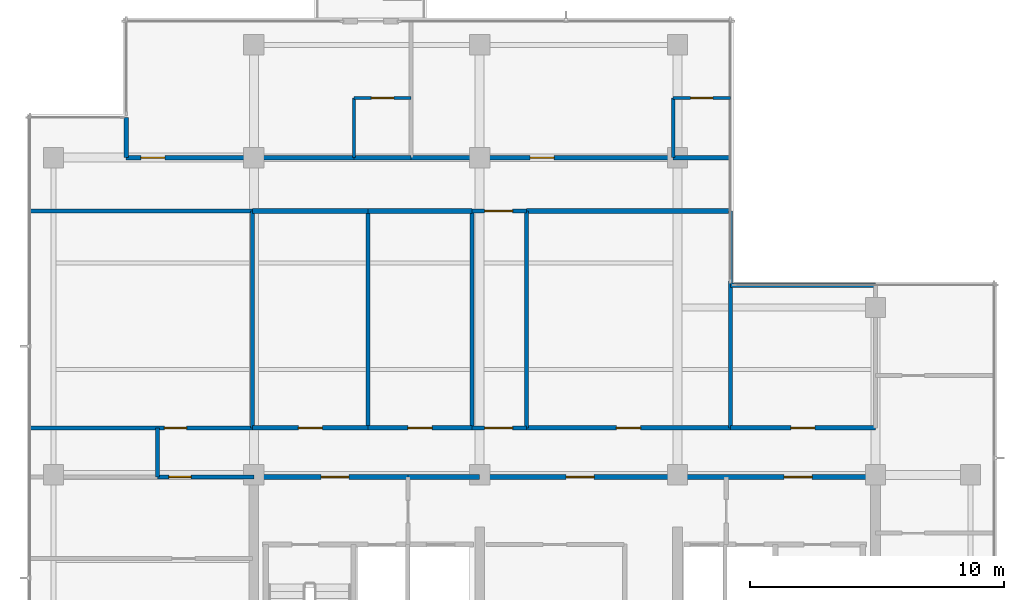
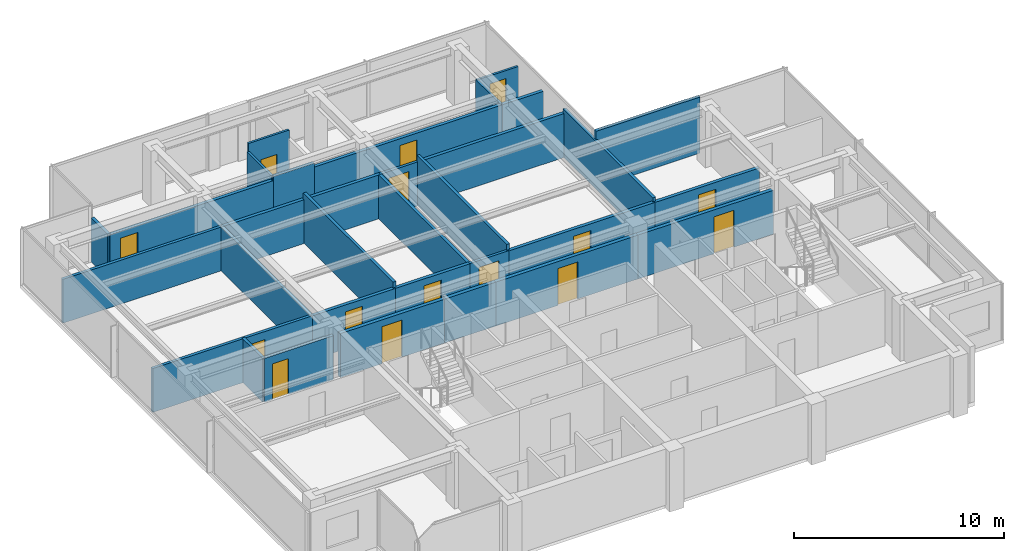
# One storey, part 7 of 11: 32 walls, 15 doors, 15 openings.
"""IFC4 building model written with IfcOpenShell, lengths in metres."""

from ifc_helpers import new_model, si_unit, direction, frame, frame_2d, origin, place, context, subcontext, project, spatial, rectangle, extrude, material, layer, layer_set, type_object, element, fill, save


model = new_model("IFC4")

# Units and contexts
model_context = context("Model", 3, precision=1e-05, world=origin(), true_north=direction((0.0, 1.0)))
body_context = subcontext(model_context, "Body", "Model", "MODEL_VIEW")
ifc_project = project(units=[si_unit("LENGTHUNIT", "METRE"), si_unit("AREAUNIT", "SQUARE_METRE"), si_unit("VOLUMEUNIT", "CUBIC_METRE"), si_unit("PLANEANGLEUNIT", "RADIAN"), si_unit("MASSUNIT", "GRAM", prefix="KILO")], contexts=[model_context])

# Site, building, storey
site_placement = place(None, origin())
site = spatial("IfcSite", under=ifc_project, at=site_placement, CompositionType="ELEMENT")
building_placement = place(site_placement, origin())
building = spatial("IfcBuilding", under=site, at=building_placement, Name="Qalmaran Belvedere Hotel", CompositionType="ELEMENT")
storey_placement = place(building_placement, frame((0.0, 0.0, 273.89990234375)))
storey = spatial("IfcBuildingStorey", under=building, at=storey_placement, Name="L71", CompositionType="ELEMENT", Elevation=273.89990234375)

# Wall, opening, door
ifc_material_1 = material(Name="Moisture-Resistant Gypsum")
ifc_layer_1 = layer(ifc_material_1, 0.1201171875, Name="Moisture-Resistant Gypsum")
ifc_layer_set_1 = layer_set([ifc_layer_1], Name="Moisture-Resistant Gypsum")
wall_type_1 = type_object("IfcWallType", Name="WL-INT-120-BATH", PredefinedType="PARTITIONING", material=ifc_layer_set_1)
wall_1_placement = place(storey_placement, frame((24.25, 35.35009765625, 0.0), z_axis=(0.0, 0.0, 1.0), x_axis=(1.0, 0.0, 0.0)))
wall_1 = element("IfcWall", 1, at=wall_1_placement, inside=storey, type_object=wall_type_1, Name="L71 Partition WL-L71-NBN00", PredefinedType="PARTITIONING", context=body_context, shape_type="SweptSolid", body=[
    extrude(rectangle(XDim=2.25, YDim=0.1201171875, at=frame_2d((1.125, 0.0))), origin(), (0.0, 0.0, 1.0), 3.260009765625),
])
opening_1_placement = place(wall_1_placement, frame((1.56494140625, 0.0, 0.0), z_axis=(0.0, 0.0, 1.0), x_axis=(-1.0, 0.0, 0.0)))
opening_1 = element("IfcOpeningElement", 2, at=opening_1_placement, cuts=wall_1, Name="Opening D-BATH", PredefinedType="OPENING", context=body_context, shape_type="SweptSolid", body=[
    extrude(rectangle(XDim=0.8798828125, YDim=2.080078125, at=frame_2d((0.43994140625, 1.0400390625))), frame((0.0, 0.070068359375, 0.0), z_axis=(0.0, -1.0, 0.0), x_axis=(1.0, 0.0, 0.0)), (0.0, 0.0, 1.0), 0.14013671875),
])
ifc_material_2 = material(Name="Engineered Oak Veneer")
door_type_1 = type_object("IfcDoorType", Name="DR-INT-BATH-880X2080", OperationType="NOTDEFINED", PredefinedType="DOOR", material=ifc_material_2)
door_1_placement = place(opening_1_placement, origin())
door_1 = element("IfcDoor", 3, at=door_1_placement, inside=storey, type_object=door_type_1, Name="L71 Ensuite Bathroom Door N01", OperationType="SINGLE_SWING_LEFT", OverallHeight=2.080078125, OverallWidth=0.8798828125, PredefinedType="DOOR", context=body_context, shape_type="SweptSolid", body=[
    extrude(rectangle(XDim=0.8798828125, YDim=2.080078125, at=frame_2d((0.43994140625, 1.0400390625))), frame((0.0, 0.02490234375, 0.0), z_axis=(0.0, -1.0, 0.0), x_axis=(1.0, 0.0, 0.0)), (0.0, 0.0, 1.0), 0.050048828125),
])
fill(opening_1, door_1)

# Wall
wall_2_placement = place(storey_placement, frame((24.25, 33.0, 0.0), z_axis=(0.0, 0.0, 1.0), x_axis=(0.0, 1.0, 0.0)))
element("IfcWall", 4, at=wall_2_placement, inside=storey, type_object=wall_type_1, Name="L71 Partition WL-L71-NBS00", PredefinedType="PARTITIONING", context=body_context, shape_type="SweptSolid", body=[
    extrude(rectangle(XDim=2.35009765625, YDim=0.1201171875, at=frame_2d((1.175048828125, 0.0))), origin(), (0.0, 0.0, 1.0), 2.781982421875),
])

# Wall, opening, door
wall_3_placement = place(storey_placement, frame((36.830078125, 35.35009765625, 0.0), z_axis=(0.0, 0.0, 1.0), x_axis=(1.0, 0.0, 0.0)))
wall_3 = element("IfcWall", 5, at=wall_3_placement, inside=storey, type_object=wall_type_1, Name="L71 Partition WL-L71-NBN01", PredefinedType="PARTITIONING", context=body_context, shape_type="SweptSolid", body=[
    extrude(rectangle(XDim=2.25, YDim=0.1201171875, at=frame_2d((1.125, 0.0))), origin(), (0.0, 0.0, 1.0), 2.550048828125),
])
opening_2_placement = place(wall_3_placement, frame((1.56494140625, 0.0, 0.0), z_axis=(0.0, 0.0, 1.0), x_axis=(-1.0, 0.0, 0.0)))
opening_2 = element("IfcOpeningElement", 6, at=opening_2_placement, cuts=wall_3, Name="Opening D-BATH", PredefinedType="OPENING", context=body_context, shape_type="SweptSolid", body=[
    extrude(rectangle(XDim=0.8798828125, YDim=2.080078125, at=frame_2d((0.43994140625, 1.0400390625))), frame((0.0, 0.070068359375, 0.0), z_axis=(0.0, -1.0, 0.0), x_axis=(1.0, 0.0, 0.0)), (0.0, 0.0, 1.0), 0.14013671875),
])
door_2_placement = place(opening_2_placement, origin())
door_2 = element("IfcDoor", 7, at=door_2_placement, inside=storey, type_object=door_type_1, Name="L71 Ensuite Bathroom Door N02", OperationType="SINGLE_SWING_LEFT", OverallHeight=2.080078125, OverallWidth=0.8798828125, PredefinedType="DOOR", context=body_context, shape_type="SweptSolid", body=[
    extrude(rectangle(XDim=0.8798828125, YDim=2.080078125, at=frame_2d((0.43994140625, 1.0400390625))), frame((0.0, 0.02490234375, 0.0), z_axis=(0.0, -1.0, 0.0), x_axis=(1.0, 0.0, 0.0)), (0.0, 0.0, 1.0), 0.050048828125),
])
fill(opening_2, door_2)

# Wall
wall_4_placement = place(storey_placement, frame((36.830078125, 33.0, 0.0), z_axis=(0.0, 0.0, 1.0), x_axis=(0.0, 1.0, 0.0)))
element("IfcWall", 8, at=wall_4_placement, inside=storey, type_object=wall_type_1, Name="L71 Partition WL-L71-NBS01", PredefinedType="PARTITIONING", context=body_context, shape_type="SweptSolid", body=[
    extrude(rectangle(XDim=2.35009765625, YDim=0.1201171875, at=frame_2d((1.175048828125, 0.0))), origin(), (0.0, 0.0, 1.0), 2.550048828125),
])

# Wall, opening, door
ifc_material_3 = material(Name="Gypsum Stud Partition")
ifc_layer_2 = layer(ifc_material_3, 0.14990234375, Name="Gypsum Stud Partition")
ifc_layer_set_2 = layer_set([ifc_layer_2], Name="Gypsum Stud Partition")
wall_type_2 = type_object("IfcWallType", Name="WL-INT-150-EI60", PredefinedType="PARTITIONING", material=ifc_layer_set_2)
wall_5_placement = place(storey_placement, frame((28.89990234375, 22.35009765625, 0.0), z_axis=(0.0, 0.0, 1.0), x_axis=(1.0, 0.0, 0.0)))
wall_5 = element("IfcWall", 9, at=wall_5_placement, inside=storey, type_object=wall_type_2, Name="L71 Partition WL-L71-XCLS", PredefinedType="PARTITIONING", context=body_context, shape_type="SweptSolid", body=[
    extrude(rectangle(XDim=2.150146484375, YDim=0.14990234375, at=frame_2d((1.0751953125, 0.0))), origin(), (0.0, 0.0, 1.0), 2.550048828125),
])
opening_3_placement = place(wall_5_placement, frame((0.5, 0.0, 0.0)))
opening_3 = element("IfcOpeningElement", 10, at=opening_3_placement, cuts=wall_5, Name="Opening FD90", PredefinedType="OPENING", context=body_context, shape_type="SweptSolid", body=[
    extrude(rectangle(XDim=1.10009765625, YDim=2.14990234375, at=frame_2d((0.550048828125, 1.074951171875))), frame((0.0, 0.0849609375, 0.0), z_axis=(0.0, -1.0, 0.0), x_axis=(1.0, 0.0, 0.0)), (0.0, 0.0, 1.0), 0.169921875),
])
ifc_material_4 = material(Name="Steel S355JR", Category="steel")
door_type_2 = type_object("IfcDoorType", Name="DR-FD90-1100X2150", OperationType="NOTDEFINED", PredefinedType="DOOR", material=ifc_material_4)
door_3_placement = place(opening_3_placement, origin())
door_3 = element("IfcDoor", 11, at=door_3_placement, inside=storey, type_object=door_type_2, Name="L71 Sky Link South Door", OperationType="SINGLE_SWING_RIGHT", OverallHeight=2.14990234375, OverallWidth=1.10009765625, PredefinedType="DOOR", context=body_context, shape_type="SweptSolid", body=[
    extrude(rectangle(XDim=1.10009765625, YDim=2.14990234375, at=frame_2d((0.550048828125, 1.074951171875))), frame((0.0, 0.02490234375, 0.0), z_axis=(0.0, -1.0, 0.0), x_axis=(1.0, 0.0, 0.0)), (0.0, 0.0, 1.0), 0.050048828125),
])
fill(opening_3, door_3)

wall_6_placement = place(storey_placement, frame((28.89990234375, 30.89990234375, 0.0), z_axis=(0.0, 0.0, 1.0), x_axis=(1.0, 0.0, 0.0)))
wall_6 = element("IfcWall", 12, at=wall_6_placement, inside=storey, type_object=wall_type_2, Name="L71 Partition WL-L71-XCLN", PredefinedType="PARTITIONING", context=body_context, shape_type="SweptSolid", body=[
    extrude(rectangle(XDim=2.150146484375, YDim=0.14990234375, at=frame_2d((1.0751953125, 0.0))), origin(), (0.0, 0.0, 1.0), 2.550048828125),
])
opening_4_placement = place(wall_6_placement, frame((0.5, 0.0, 0.0)))
opening_4 = element("IfcOpeningElement", 13, at=opening_4_placement, cuts=wall_6, Name="Opening FD90", PredefinedType="OPENING", context=body_context, shape_type="SweptSolid", body=[
    extrude(rectangle(XDim=1.10009765625, YDim=2.14990234375, at=frame_2d((0.550048828125, 1.074951171875))), frame((0.0, 0.0849609375, 0.0), z_axis=(0.0, -1.0, 0.0), x_axis=(1.0, 0.0, 0.0)), (0.0, 0.0, 1.0), 0.169921875),
])
door_4_placement = place(opening_4_placement, origin())
door_4 = element("IfcDoor", 14, at=door_4_placement, inside=storey, type_object=door_type_2, Name="L71 Sky Link North Door", OperationType="SINGLE_SWING_LEFT", OverallHeight=2.14990234375, OverallWidth=1.10009765625, PredefinedType="DOOR", context=body_context, shape_type="SweptSolid", body=[
    extrude(rectangle(XDim=1.10009765625, YDim=2.14990234375, at=frame_2d((0.550048828125, 1.074951171875))), frame((0.0, 0.02490234375, 0.0), z_axis=(0.0, -1.0, 0.0), x_axis=(1.0, 0.0, 0.0)), (0.0, 0.0, 1.0), 0.050048828125),
])
fill(opening_4, door_4)

ifc_layer_3 = layer(ifc_material_3, 0.159912109375, Name="Gypsum Stud Partition")
ifc_layer_set_3 = layer_set([ifc_layer_3], Name="Gypsum Stud Partition")
wall_type_3 = type_object("IfcWallType", Name="WL-INT-160-EI60", PredefinedType="PARTITIONING", material=ifc_layer_set_3)
wall_7_placement = place(storey_placement, frame((16.5, 20.419921875, 0.0), z_axis=(0.0, 0.0, 1.0), x_axis=(1.0, 0.0, 0.0)))
wall_7 = element("IfcWall", 15, at=wall_7_placement, inside=storey, type_object=wall_type_3, Name="L71 Partition WL-L71-C4WS2", PredefinedType="PARTITIONING", context=body_context, shape_type="SweptSolid", body=[
    extrude(rectangle(XDim=3.800048828125, YDim=0.159912109375, at=frame_2d((1.89990234375, 0.0))), origin(), (0.0, 0.0, 1.0), 2.550048828125),
])
opening_5_placement = place(wall_7_placement, frame((1.329833984375, 0.0, 0.0), z_axis=(0.0, 0.0, 1.0), x_axis=(-1.0, 0.0, 0.0)))
opening_5 = element("IfcOpeningElement", 16, at=opening_5_placement, cuts=wall_7, Name="Opening FD60B", PredefinedType="OPENING", context=body_context, shape_type="SweptSolid", body=[
    extrude(rectangle(XDim=0.8798828125, YDim=2.080078125, at=frame_2d((0.43994140625, 1.0400390625))), frame((0.0, 0.08984375, 0.0), z_axis=(0.0, -1.0, 0.0), x_axis=(1.0, 0.0, 0.0)), (0.0, 0.0, 1.0), 0.179931640625),
])
door_type_3 = type_object("IfcDoorType", Name="DR-FD60B-880X2080", OperationType="NOTDEFINED", PredefinedType="DOOR", material=ifc_material_4)
door_5_placement = place(opening_5_placement, origin())
door_5 = element("IfcDoor", 17, at=door_5_placement, inside=storey, type_object=door_type_3, Name="L71 West Salon Door", OperationType="SINGLE_SWING_LEFT", OverallHeight=2.080078125, OverallWidth=0.8798828125, PredefinedType="DOOR", context=body_context, shape_type="SweptSolid", body=[
    extrude(rectangle(XDim=0.8798828125, YDim=2.080078125, at=frame_2d((0.43994140625, 1.0400390625))), frame((0.0, 0.02490234375, 0.0), z_axis=(0.0, -1.0, 0.0), x_axis=(1.0, 0.0, 0.0)), (0.0, 0.0, 1.0), 0.050048828125),
])
fill(opening_5, door_5)

# Wall
wall_8_placement = place(storey_placement, frame((16.5, 20.419921875, 0.0), z_axis=(0.0, 0.0, 1.0), x_axis=(0.0, 1.0, 0.0)))
element("IfcWall", 18, at=wall_8_placement, inside=storey, type_object=wall_type_3, Name="L71 Partition WL-L71-C4WW", PredefinedType="PARTITIONING", context=body_context, shape_type="SweptSolid", body=[
    extrude(rectangle(XDim=1.93017578125, YDim=0.159912109375, at=frame_2d((0.965087890625, 0.0))), origin(), (0.0, 0.0, 1.0), 2.550048828125),
])

# Wall, opening, door
wall_9_placement = place(storey_placement, frame((11.469970703125, 22.35009765625, 0.0), z_axis=(0.0, 0.0, 1.0), x_axis=(1.0, 0.0, 0.0)))
wall_9 = element("IfcWall", 19, at=wall_9_placement, inside=storey, type_object=wall_type_3, Name="L71 Partition WL-L71-C4WN0", PredefinedType="PARTITIONING", context=body_context, shape_type="SweptSolid", body=[
    extrude(rectangle(XDim=8.780029296875, YDim=0.159912109375, at=frame_2d((4.39013671875, 0.0))), origin(), (0.0, 0.0, 1.0), 2.550048828125),
])
opening_6_placement = place(wall_9_placement, frame((5.300048828125, 0.0, 0.0)))
opening_6 = element("IfcOpeningElement", 20, at=opening_6_placement, cuts=wall_9, Name="Opening FD60B", PredefinedType="OPENING", context=body_context, shape_type="SweptSolid", body=[
    extrude(rectangle(XDim=0.8798828125, YDim=2.080078125, at=frame_2d((0.43994140625, 1.0400390625))), frame((0.0, 0.08984375, 0.0), z_axis=(0.0, -1.0, 0.0), x_axis=(1.0, 0.0, 0.0)), (0.0, 0.0, 1.0), 0.179931640625),
])
door_6_placement = place(opening_6_placement, origin())
door_6 = element("IfcDoor", 21, at=door_6_placement, inside=storey, type_object=door_type_3, Name="L71 NW Salon Door", OperationType="SINGLE_SWING_RIGHT", OverallHeight=2.080078125, OverallWidth=0.8798828125, PredefinedType="DOOR", context=body_context, shape_type="SweptSolid", body=[
    extrude(rectangle(XDim=0.8798828125, YDim=2.080078125, at=frame_2d((0.43994140625, 1.0400390625))), frame((0.0, 0.02490234375, 0.0), z_axis=(0.0, -1.0, 0.0), x_axis=(1.0, 0.0, 0.0)), (0.0, 0.0, 1.0), 0.050048828125),
])
fill(opening_6, door_6)

# Walls
wall_10_placement = place(storey_placement, frame((11.469970703125, 30.89990234375, 0.0), z_axis=(0.0, 0.0, 1.0), x_axis=(1.0, 0.0, 0.0)))
element("IfcWall", 22, at=wall_10_placement, inside=storey, type_object=wall_type_3, Name="L71 Partition WL-L71-C4WN1", PredefinedType="PARTITIONING", context=body_context, shape_type="SweptSolid", body=[
    extrude(rectangle(XDim=8.780029296875, YDim=0.159912109375, at=frame_2d((4.39013671875, 0.0))), origin(), (0.0, 0.0, 1.0), 2.550048828125),
])
wall_11_placement = place(storey_placement, frame((20.25, 22.35009765625, 0.0), z_axis=(0.0, 0.0, 1.0), x_axis=(0.0, 1.0, 0.0)))
element("IfcWall", 23, at=wall_11_placement, inside=storey, type_object=wall_type_3, Name="L71 Partition WL-L71-C4MWVL", PredefinedType="PARTITIONING", context=body_context, shape_type="SweptSolid", body=[
    extrude(rectangle(XDim=8.5498046875, YDim=0.159912109375, at=frame_2d((4.27490234375, 0.0))), origin(), (0.0, 0.0, 1.0), 2.550048828125),
])
wall_12_placement = place(storey_placement, frame((24.800048828125, 22.35009765625, 0.0), z_axis=(0.0, 0.0, 1.0), x_axis=(0.0, 1.0, 0.0)))
element("IfcWall", 24, at=wall_12_placement, inside=storey, type_object=wall_type_3, Name="L71 Partition WL-L71-C4MWVR1", PredefinedType="PARTITIONING", context=body_context, shape_type="SweptSolid", body=[
    extrude(rectangle(XDim=8.5498046875, YDim=0.159912109375, at=frame_2d((4.27490234375, 0.0))), origin(), (0.0, 0.0, 1.0), 2.88720703125),
])
wall_13_placement = place(storey_placement, frame((28.89990234375, 22.35009765625, 0.0), z_axis=(0.0, 0.0, 1.0), x_axis=(0.0, 1.0, 0.0)))
element("IfcWall", 25, at=wall_13_placement, inside=storey, type_object=wall_type_3, Name="L71 Partition WL-L71-C4MWVR2", PredefinedType="PARTITIONING", context=body_context, shape_type="SweptSolid", body=[
    extrude(rectangle(XDim=8.5498046875, YDim=0.159912109375, at=frame_2d((4.27490234375, 0.0))), origin(), (0.0, 0.0, 1.0), 2.550048828125),
])
wall_14_placement = place(storey_placement, frame((31.050048828125, 22.35009765625, 0.0), z_axis=(0.0, 0.0, 1.0), x_axis=(0.0, 1.0, 0.0)))
element("IfcWall", 26, at=wall_14_placement, inside=storey, type_object=wall_type_3, Name="L71 Partition WL-L71-C4MEVL", PredefinedType="PARTITIONING", context=body_context, shape_type="SweptSolid", body=[
    extrude(rectangle(XDim=8.5498046875, YDim=0.159912109375, at=frame_2d((4.27490234375, 0.0))), origin(), (0.0, 0.0, 1.0), 2.88720703125),
])
wall_15_placement = place(storey_placement, frame((39.080078125, 22.35009765625, 0.0), z_axis=(0.0, 0.0, 1.0), x_axis=(0.0, 1.0, 0.0)))
element("IfcWall", 27, at=wall_15_placement, inside=storey, type_object=wall_type_3, Name="L71 Partition WL-L71-C4MEVR1", PredefinedType="PARTITIONING", context=body_context, shape_type="SweptSolid", body=[
    extrude(rectangle(XDim=8.5498046875, YDim=0.159912109375, at=frame_2d((4.27490234375, 0.0))), origin(), (0.0, 0.0, 1.0), 2.781982421875),
])
wall_16_placement = place(storey_placement, frame((15.27001953125, 33.0, 0.0), z_axis=(0.0, 0.0, 1.0), x_axis=(0.0, 1.0, 0.0)))
element("IfcWall", 28, at=wall_16_placement, inside=storey, type_object=wall_type_3, Name="L71 Partition WL-L71-NUL", PredefinedType="PARTITIONING", context=body_context, shape_type="SweptSolid", body=[
    extrude(rectangle(XDim=1.580078125, YDim=0.159912109375, at=frame_2d((0.7900390625, 0.0))), origin(), (0.0, 0.0, 1.0), 2.550048828125),
])

# Wall, opening, door
ifc_layer_4 = layer(ifc_material_3, 0.179931640625, Name="Gypsum Stud Partition")
ifc_layer_set_4 = layer_set([ifc_layer_4], Name="Gypsum Stud Partition")
wall_type_4 = type_object("IfcWallType", Name="WL-INT-180-EI60", PredefinedType="PARTITIONING", material=ifc_layer_set_4)
wall_17_placement = place(storey_placement, frame((20.25, 22.35009765625, 0.0), z_axis=(0.0, 0.0, 1.0), x_axis=(1.0, 0.0, 0.0)))
wall_17 = element("IfcWall", 29, at=wall_17_placement, inside=storey, type_object=wall_type_4, Name="L71 Partition WL-L71-C4MWD1", PredefinedType="PARTITIONING", context=body_context, shape_type="SweptSolid", body=[
    extrude(rectangle(XDim=4.550048828125, YDim=0.179931640625, at=frame_2d((2.27490234375, 0.0))), origin(), (0.0, 0.0, 1.0), 2.550048828125),
])
opening_7_placement = place(wall_17_placement, frame((1.800048828125, 0.0, 0.0)))
opening_7 = element("IfcOpeningElement", 30, at=opening_7_placement, cuts=wall_17, Name="Opening FD60", PredefinedType="OPENING", context=body_context, shape_type="SweptSolid", body=[
    extrude(rectangle(XDim=0.949951171875, YDim=2.14990234375, at=frame_2d((0.47509765625, 1.074951171875))), frame((0.0, 0.10009765625, 0.0), z_axis=(0.0, -1.0, 0.0), x_axis=(1.0, 0.0, 0.0)), (0.0, 0.0, 1.0), 0.199951171875),
])
door_type_4 = type_object("IfcDoorType", Name="DR-FD60-950X2150", OperationType="NOTDEFINED", PredefinedType="DOOR", material=ifc_material_2)
door_7_placement = place(opening_7_placement, origin())
door_7 = element("IfcDoor", 31, at=door_7_placement, inside=storey, type_object=door_type_4, Name="L71 Housekeeping and Linen Room Door", OperationType="SINGLE_SWING_LEFT", OverallHeight=2.14990234375, OverallWidth=0.949951171875, PredefinedType="DOOR", context=body_context, shape_type="SweptSolid", body=[
    extrude(rectangle(XDim=0.949951171875, YDim=2.14990234375, at=frame_2d((0.47509765625, 1.074951171875))), frame((0.0, 0.02490234375, 0.0), z_axis=(0.0, -1.0, 0.0), x_axis=(1.0, 0.0, 0.0)), (0.0, 0.0, 1.0), 0.050048828125),
])
fill(opening_7, door_7)

# Wall
wall_18_placement = place(storey_placement, frame((20.25, 30.89990234375, 0.0), z_axis=(0.0, 0.0, 1.0), x_axis=(1.0, 0.0, 0.0)))
element("IfcWall", 32, at=wall_18_placement, inside=storey, type_object=wall_type_4, Name="L71 Partition WL-L71-C4MWO1", PredefinedType="PARTITIONING", context=body_context, shape_type="SweptSolid", body=[
    extrude(rectangle(XDim=4.550048828125, YDim=0.179931640625, at=frame_2d((2.27490234375, 0.0))), origin(), (0.0, 0.0, 1.0), 2.550048828125),
])

# Wall, opening, door
wall_19_placement = place(storey_placement, frame((24.800048828125, 22.35009765625, 0.0), z_axis=(0.0, 0.0, 1.0), x_axis=(1.0, 0.0, 0.0)))
wall_19 = element("IfcWall", 33, at=wall_19_placement, inside=storey, type_object=wall_type_4, Name="L71 Partition WL-L71-C4MWD2", PredefinedType="PARTITIONING", context=body_context, shape_type="SweptSolid", body=[
    extrude(rectangle(XDim=4.099853515625, YDim=0.179931640625, at=frame_2d((2.0498046875, 0.0))), origin(), (0.0, 0.0, 1.0), 2.550048828125),
])
opening_8_placement = place(wall_19_placement, frame((1.574951171875, 0.0, 0.0)))
opening_8 = element("IfcOpeningElement", 34, at=opening_8_placement, cuts=wall_19, Name="Opening FD60", PredefinedType="OPENING", context=body_context, shape_type="SweptSolid", body=[
    extrude(rectangle(XDim=0.949951171875, YDim=2.14990234375, at=frame_2d((0.47509765625, 1.074951171875))), frame((0.0, 0.10009765625, 0.0), z_axis=(0.0, -1.0, 0.0), x_axis=(1.0, 0.0, 0.0)), (0.0, 0.0, 1.0), 0.199951171875),
])
door_8_placement = place(opening_8_placement, origin())
door_8 = element("IfcDoor", 35, at=door_8_placement, inside=storey, type_object=door_type_4, Name="L71 Belvedere Club Lounge Door", OperationType="SINGLE_SWING_RIGHT", OverallHeight=2.14990234375, OverallWidth=0.949951171875, PredefinedType="DOOR", context=body_context, shape_type="SweptSolid", body=[
    extrude(rectangle(XDim=0.949951171875, YDim=2.14990234375, at=frame_2d((0.47509765625, 1.074951171875))), frame((0.0, 0.02490234375, 0.0), z_axis=(0.0, -1.0, 0.0), x_axis=(1.0, 0.0, 0.0)), (0.0, 0.0, 1.0), 0.050048828125),
])
fill(opening_8, door_8)

# Wall
wall_20_placement = place(storey_placement, frame((24.800048828125, 30.89990234375, 0.0), z_axis=(0.0, 0.0, 1.0), x_axis=(1.0, 0.0, 0.0)))
element("IfcWall", 36, at=wall_20_placement, inside=storey, type_object=wall_type_4, Name="L71 Partition WL-L71-C4MWO2", PredefinedType="PARTITIONING", context=body_context, shape_type="SweptSolid", body=[
    extrude(rectangle(XDim=4.099853515625, YDim=0.179931640625, at=frame_2d((2.0498046875, 0.0))), origin(), (0.0, 0.0, 1.0), 2.550048828125),
])

# Wall, opening, door
wall_21_placement = place(storey_placement, frame((31.050048828125, 22.35009765625, 0.0), z_axis=(0.0, 0.0, 1.0), x_axis=(1.0, 0.0, 0.0)))
wall_21 = element("IfcWall", 37, at=wall_21_placement, inside=storey, type_object=wall_type_4, Name="L71 Partition WL-L71-C4MED1", PredefinedType="PARTITIONING", context=body_context, shape_type="SweptSolid", body=[
    extrude(rectangle(XDim=8.030029296875, YDim=0.179931640625, at=frame_2d((4.01513671875, 0.0))), origin(), (0.0, 0.0, 1.0), 2.550048828125),
])
opening_9_placement = place(wall_21_placement, frame((3.5400390625, 0.0, 0.0)))
opening_9 = element("IfcOpeningElement", 38, at=opening_9_placement, cuts=wall_21, Name="Opening FD60", PredefinedType="OPENING", context=body_context, shape_type="SweptSolid", body=[
    extrude(rectangle(XDim=0.949951171875, YDim=2.14990234375, at=frame_2d((0.47509765625, 1.074951171875))), frame((0.0, 0.10009765625, 0.0), z_axis=(0.0, -1.0, 0.0), x_axis=(1.0, 0.0, 0.0)), (0.0, 0.0, 1.0), 0.199951171875),
])
door_9_placement = place(opening_9_placement, origin())
door_9 = element("IfcDoor", 39, at=door_9_placement, inside=storey, type_object=door_type_4, Name="L71 Panoramic Tea Lounge Door", OperationType="SINGLE_SWING_LEFT", OverallHeight=2.14990234375, OverallWidth=0.949951171875, PredefinedType="DOOR", context=body_context, shape_type="SweptSolid", body=[
    extrude(rectangle(XDim=0.949951171875, YDim=2.14990234375, at=frame_2d((0.47509765625, 1.074951171875))), frame((0.0, 0.02490234375, 0.0), z_axis=(0.0, -1.0, 0.0), x_axis=(1.0, 0.0, 0.0)), (0.0, 0.0, 1.0), 0.050048828125),
])
fill(opening_9, door_9)

# Wall
wall_22_placement = place(storey_placement, frame((31.050048828125, 30.89990234375, 0.0), z_axis=(0.0, 0.0, 1.0), x_axis=(1.0, 0.0, 0.0)))
element("IfcWall", 40, at=wall_22_placement, inside=storey, type_object=wall_type_4, Name="L71 Partition WL-L71-C4MEO1", PredefinedType="PARTITIONING", context=body_context, shape_type="SweptSolid", body=[
    extrude(rectangle(XDim=8.030029296875, YDim=0.179931640625, at=frame_2d((4.01513671875, 0.0))), origin(), (0.0, 0.0, 1.0), 2.550048828125),
])

# Wall, opening, door
wall_23_placement = place(storey_placement, frame((39.080078125, 22.35009765625, 0.0), z_axis=(0.0, 0.0, 1.0), x_axis=(1.0, 0.0, 0.0)))
wall_23 = element("IfcWall", 41, at=wall_23_placement, inside=storey, type_object=wall_type_4, Name="L71 Partition WL-L71-C4MFD1", PredefinedType="PARTITIONING", context=body_context, shape_type="SweptSolid", body=[
    extrude(rectangle(XDim=5.719970703125, YDim=0.179931640625, at=frame_2d((2.85986328125, 0.0))), origin(), (0.0, 0.0, 1.0), 2.550048828125),
])
opening_10_placement = place(wall_23_placement, frame((2.385009765625, 0.0, 0.0)))
opening_10 = element("IfcOpeningElement", 42, at=opening_10_placement, cuts=wall_23, Name="Opening FD60", PredefinedType="OPENING", context=body_context, shape_type="SweptSolid", body=[
    extrude(rectangle(XDim=0.949951171875, YDim=2.14990234375, at=frame_2d((0.47509765625, 1.074951171875))), frame((0.0, 0.10009765625, 0.0), z_axis=(0.0, -1.0, 0.0), x_axis=(1.0, 0.0, 0.0)), (0.0, 0.0, 1.0), 0.199951171875),
])
door_10_placement = place(opening_10_placement, origin())
door_10 = element("IfcDoor", 43, at=door_10_placement, inside=storey, type_object=door_type_4, Name="L71 Wellness Meditation Spa Door", OperationType="SINGLE_SWING_RIGHT", OverallHeight=2.14990234375, OverallWidth=0.949951171875, PredefinedType="DOOR", context=body_context, shape_type="SweptSolid", body=[
    extrude(rectangle(XDim=0.949951171875, YDim=2.14990234375, at=frame_2d((0.47509765625, 1.074951171875))), frame((0.0, 0.02490234375, 0.0), z_axis=(0.0, -1.0, 0.0), x_axis=(1.0, 0.0, 0.0)), (0.0, 0.0, 1.0), 0.050048828125),
])
fill(opening_10, door_10)

# Walls
wall_24_placement = place(storey_placement, frame((39.080078125, 27.97998046875, 0.0), z_axis=(0.0, 0.0, 1.0), x_axis=(1.0, 0.0, 0.0)))
element("IfcWall", 44, at=wall_24_placement, inside=storey, type_object=wall_type_4, Name="L71 Partition WL-L71-C4MFO1", PredefinedType="PARTITIONING", context=body_context, shape_type="SweptSolid", body=[
    extrude(rectangle(XDim=5.719970703125, YDim=0.179931640625, at=frame_2d((2.85986328125, 0.0))), origin(), (0.0, 0.0, 1.0), 3.260009765625),
])
wall_25_placement = place(storey_placement, frame((24.25, 33.0, 0.0), z_axis=(0.0, 0.0, 1.0), x_axis=(1.0, 0.0, 0.0)))
element("IfcWall", 45, at=wall_25_placement, inside=storey, type_object=wall_type_4, Name="L71 Partition WL-L71-NBC00", PredefinedType="PARTITIONING", context=body_context, shape_type="SweptSolid", body=[
    extrude(rectangle(XDim=2.25, YDim=0.179931640625, at=frame_2d((1.125, 0.0))), origin(), (0.0, 0.0, 1.0), 2.781982421875),
])

# Wall, opening, door
wall_26_placement = place(storey_placement, frame((15.27001953125, 33.0, 0.0), z_axis=(0.0, 0.0, 1.0), x_axis=(1.0, 0.0, 0.0)))
wall_26 = element("IfcWall", 46, at=wall_26_placement, inside=storey, type_object=wall_type_4, Name="L71 Partition WL-L71-NEC00", PredefinedType="PARTITIONING", context=body_context, shape_type="SweptSolid", body=[
    extrude(rectangle(XDim=8.97998046875, YDim=0.179931640625, at=frame_2d((4.489990234375, 0.0))), origin(), (0.0, 0.0, 1.0), 2.550048828125),
])
opening_11_placement = place(wall_26_placement, frame((0.57568359375, 0.0, 0.0)))
opening_11 = element("IfcOpeningElement", 47, at=opening_11_placement, cuts=wall_26, Name="Opening FD60", PredefinedType="OPENING", context=body_context, shape_type="SweptSolid", body=[
    extrude(rectangle(XDim=0.949951171875, YDim=2.14990234375, at=frame_2d((0.47509765625, 1.074951171875))), frame((0.0, 0.10009765625, 0.0), z_axis=(0.0, -1.0, 0.0), x_axis=(1.0, 0.0, 0.0)), (0.0, 0.0, 1.0), 0.199951171875),
])
door_11_placement = place(opening_11_placement, origin())
door_11 = element("IfcDoor", 48, at=door_11_placement, inside=storey, type_object=door_type_4, Name="L71 Guest Entrance Door N01", OperationType="SINGLE_SWING_RIGHT", OverallHeight=2.14990234375, OverallWidth=0.949951171875, PredefinedType="DOOR", context=body_context, shape_type="SweptSolid", body=[
    extrude(rectangle(XDim=0.949951171875, YDim=2.14990234375, at=frame_2d((0.47509765625, 1.074951171875))), frame((0.0, 0.02490234375, 0.0), z_axis=(0.0, -1.0, 0.0), x_axis=(1.0, 0.0, 0.0)), (0.0, 0.0, 1.0), 0.050048828125),
])
fill(opening_11, door_11)

# Wall
wall_27_placement = place(storey_placement, frame((36.830078125, 33.0, 0.0), z_axis=(0.0, 0.0, 1.0), x_axis=(1.0, 0.0, 0.0)))
element("IfcWall", 49, at=wall_27_placement, inside=storey, type_object=wall_type_4, Name="L71 Partition WL-L71-NBC01", PredefinedType="PARTITIONING", context=body_context, shape_type="SweptSolid", body=[
    extrude(rectangle(XDim=2.25, YDim=0.179931640625, at=frame_2d((1.125, 0.0))), origin(), (0.0, 0.0, 1.0), 2.550048828125),
])

# Wall, opening, door
wall_28_placement = place(storey_placement, frame((26.5, 33.0, 0.0), z_axis=(0.0, 0.0, 1.0), x_axis=(1.0, 0.0, 0.0)))
wall_28 = element("IfcWall", 50, at=wall_28_placement, inside=storey, type_object=wall_type_4, Name="L71 Partition WL-L71-NEC01", PredefinedType="PARTITIONING", context=body_context, shape_type="SweptSolid", body=[
    extrude(rectangle(XDim=10.330078125, YDim=0.179931640625, at=frame_2d((5.1650390625, 0.0))), origin(), (0.0, 0.0, 1.0), 2.550048828125),
])
opening_12_placement = place(wall_28_placement, frame((4.68994140625, 0.0, 0.0)))
opening_12 = element("IfcOpeningElement", 51, at=opening_12_placement, cuts=wall_28, Name="Opening FD60", PredefinedType="OPENING", context=body_context, shape_type="SweptSolid", body=[
    extrude(rectangle(XDim=0.949951171875, YDim=2.14990234375, at=frame_2d((0.47509765625, 1.074951171875))), frame((0.0, 0.10009765625, 0.0), z_axis=(0.0, -1.0, 0.0), x_axis=(1.0, 0.0, 0.0)), (0.0, 0.0, 1.0), 0.199951171875),
])
door_12_placement = place(opening_12_placement, origin())
door_12 = element("IfcDoor", 52, at=door_12_placement, inside=storey, type_object=door_type_4, Name="L71 Guest Entrance Door N02", OperationType="SINGLE_SWING_RIGHT", OverallHeight=2.14990234375, OverallWidth=0.949951171875, PredefinedType="DOOR", context=body_context, shape_type="SweptSolid", body=[
    extrude(rectangle(XDim=0.949951171875, YDim=2.14990234375, at=frame_2d((0.47509765625, 1.074951171875))), frame((0.0, 0.02490234375, 0.0), z_axis=(0.0, -1.0, 0.0), x_axis=(1.0, 0.0, 0.0)), (0.0, 0.0, 1.0), 0.050048828125),
])
fill(opening_12, door_12)

ifc_material_5 = material(Name="Concrete C30/37 Blockwork", Category="masonry")
ifc_layer_5 = layer(ifc_material_5, 0.199951171875, Name="Concrete C30/37 Blockwork")
ifc_layer_set_5 = layer_set([ifc_layer_5], Name="Concrete C30/37 Blockwork")
wall_type_5 = type_object("IfcWallType", Name="WL-INT-200-EI120", PredefinedType="PARTITIONING", material=ifc_layer_set_5)
wall_29_placement = place(storey_placement, frame((20.64990234375, 20.419921875, 0.0), z_axis=(0.0, 0.0, 1.0), x_axis=(1.0, 0.0, 0.0)))
wall_29 = element("IfcWall", 53, at=wall_29_placement, inside=storey, type_object=wall_type_5, Name="L71 Partition WL-CN1A-L71", PredefinedType="PARTITIONING", context=body_context, shape_type="SweptSolid", body=[
    extrude(rectangle(XDim=5.72998046875, YDim=0.199951171875, at=frame_2d((2.864990234375, 0.0))), origin(), (0.0, 0.0, 1.0), 2.550048828125),
])
opening_13_placement = place(wall_29_placement, frame((2.300048828125, 0.0, 0.0)))
opening_13 = element("IfcOpeningElement", 54, at=opening_13_placement, cuts=wall_29, Name="Opening FD90", PredefinedType="OPENING", context=body_context, shape_type="SweptSolid", body=[
    extrude(rectangle(XDim=1.10009765625, YDim=2.14990234375, at=frame_2d((0.550048828125, 1.074951171875))), frame((0.0, 0.10986328125, 0.0), z_axis=(0.0, -1.0, 0.0), x_axis=(1.0, 0.0, 0.0)), (0.0, 0.0, 1.0), 0.219970703125),
])
door_13_placement = place(opening_13_placement, origin())
door_13 = element("IfcDoor", 55, at=door_13_placement, inside=storey, type_object=door_type_2, Name="L71 FF1 Lobby Corridor Door", OperationType="SINGLE_SWING_RIGHT", OverallHeight=2.14990234375, OverallWidth=1.10009765625, PredefinedType="DOOR", context=body_context, shape_type="SweptSolid", body=[
    extrude(rectangle(XDim=1.10009765625, YDim=2.14990234375, at=frame_2d((0.550048828125, 1.074951171875))), frame((0.0, 0.02490234375, 0.0), z_axis=(0.0, -1.0, 0.0), x_axis=(1.0, 0.0, 0.0)), (0.0, 0.0, 1.0), 0.050048828125),
])
fill(opening_13, door_13)

# Wall
wall_30_placement = place(storey_placement, frame((26.3798828125, 20.419921875, 0.0), z_axis=(0.0, 0.0, 1.0), x_axis=(1.0, 0.0, 0.0)))
element("IfcWall", 56, at=wall_30_placement, inside=storey, type_object=wall_type_5, Name="L71 Partition WL-CN1B-L71", PredefinedType="PARTITIONING", context=body_context, shape_type="SweptSolid", body=[
    extrude(rectangle(XDim=2.820068359375, YDim=0.199951171875, at=frame_2d((1.41015625, 0.0))), origin(), (0.0, 0.0, 1.0), 2.550048828125),
])

# Wall, opening, door
wall_31_placement = place(storey_placement, frame((29.199951171875, 20.419921875, 0.0), z_axis=(0.0, 0.0, 1.0), x_axis=(1.0, 0.0, 0.0)))
wall_31 = element("IfcWall", 57, at=wall_31_placement, inside=storey, type_object=wall_type_5, Name="L71 Partition WL-CN2-L71", PredefinedType="PARTITIONING", context=body_context, shape_type="SweptSolid", body=[
    extrude(rectangle(XDim=7.800048828125, YDim=0.199951171875, at=frame_2d((3.89990234375, 0.0))), origin(), (0.0, 0.0, 1.0), 2.550048828125),
])
opening_14_placement = place(wall_31_placement, frame((3.4091796875, 0.0, 0.0)))
opening_14 = element("IfcOpeningElement", 58, at=opening_14_placement, cuts=wall_31, Name="Opening FD90", PredefinedType="OPENING", context=body_context, shape_type="SweptSolid", body=[
    extrude(rectangle(XDim=1.10009765625, YDim=2.14990234375, at=frame_2d((0.550048828125, 1.074951171875))), frame((0.0, 0.10986328125, 0.0), z_axis=(0.0, -1.0, 0.0), x_axis=(1.0, 0.0, 0.0)), (0.0, 0.0, 1.0), 0.219970703125),
])
door_14_placement = place(opening_14_placement, origin())
door_14 = element("IfcDoor", 59, at=door_14_placement, inside=storey, type_object=door_type_2, Name="L71 Central Lift Lobby Door", OperationType="SINGLE_SWING_LEFT", OverallHeight=2.14990234375, OverallWidth=1.10009765625, PredefinedType="DOOR", context=body_context, shape_type="SweptSolid", body=[
    extrude(rectangle(XDim=1.10009765625, YDim=2.14990234375, at=frame_2d((0.550048828125, 1.074951171875))), frame((0.0, 0.02490234375, 0.0), z_axis=(0.0, -1.0, 0.0), x_axis=(1.0, 0.0, 0.0)), (0.0, 0.0, 1.0), 0.050048828125),
])
fill(opening_14, door_14)

wall_32_placement = place(storey_placement, frame((37.0, 20.419921875, 0.0), z_axis=(0.0, 0.0, 1.0), x_axis=(1.0, 0.0, 0.0)))
wall_32 = element("IfcWall", 60, at=wall_32_placement, inside=storey, type_object=wall_type_5, Name="L71 Partition WL-CN3-L71", PredefinedType="PARTITIONING", context=body_context, shape_type="SweptSolid", body=[
    extrude(rectangle(XDim=7.449951171875, YDim=0.199951171875, at=frame_2d((3.72509765625, 0.0))), origin(), (0.0, 0.0, 1.0), 2.550048828125),
])
opening_15_placement = place(wall_32_placement, frame((4.199951171875, 0.0, 0.0)))
opening_15 = element("IfcOpeningElement", 61, at=opening_15_placement, cuts=wall_32, Name="Opening FD90", PredefinedType="OPENING", context=body_context, shape_type="SweptSolid", body=[
    extrude(rectangle(XDim=1.10009765625, YDim=2.14990234375, at=frame_2d((0.550048828125, 1.074951171875))), frame((0.0, 0.10986328125, 0.0), z_axis=(0.0, -1.0, 0.0), x_axis=(1.0, 0.0, 0.0)), (0.0, 0.0, 1.0), 0.219970703125),
])
door_15_placement = place(opening_15_placement, origin())
door_15 = element("IfcDoor", 62, at=door_15_placement, inside=storey, type_object=door_type_2, Name="L71 FF2 Lobby Corridor Door", OperationType="SINGLE_SWING_RIGHT", OverallHeight=2.14990234375, OverallWidth=1.10009765625, PredefinedType="DOOR", context=body_context, shape_type="SweptSolid", body=[
    extrude(rectangle(XDim=1.10009765625, YDim=2.14990234375, at=frame_2d((0.550048828125, 1.074951171875))), frame((0.0, 0.02490234375, 0.0), z_axis=(0.0, -1.0, 0.0), x_axis=(1.0, 0.0, 0.0)), (0.0, 0.0, 1.0), 0.050048828125),
])
fill(opening_15, door_15)

save(model, "model.ifc")
